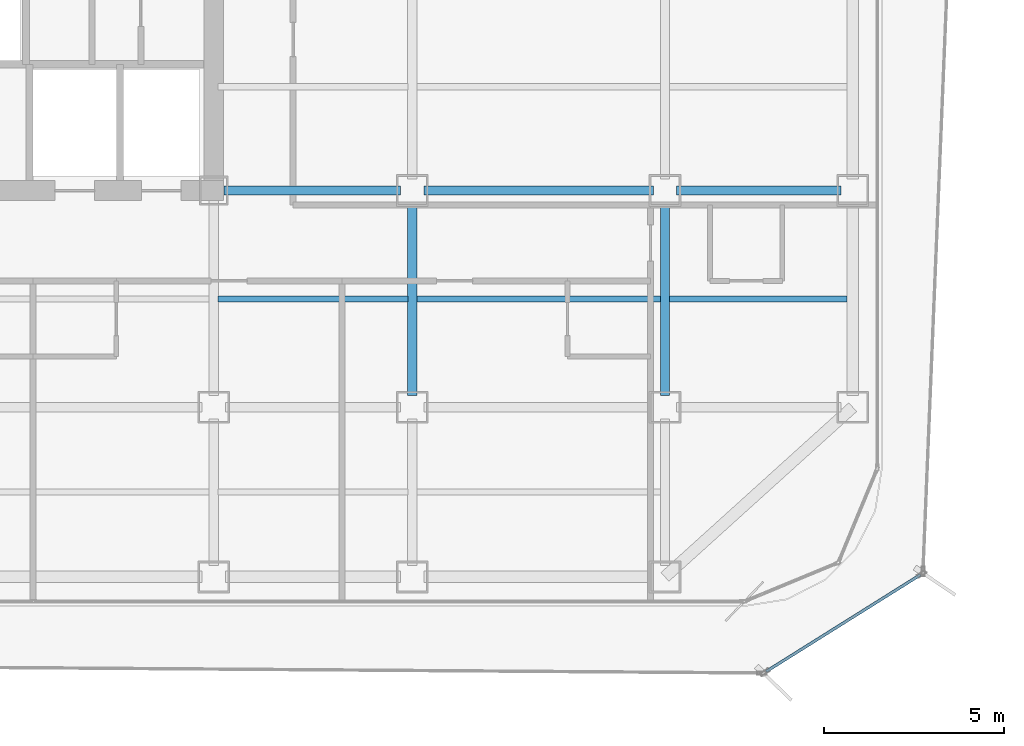
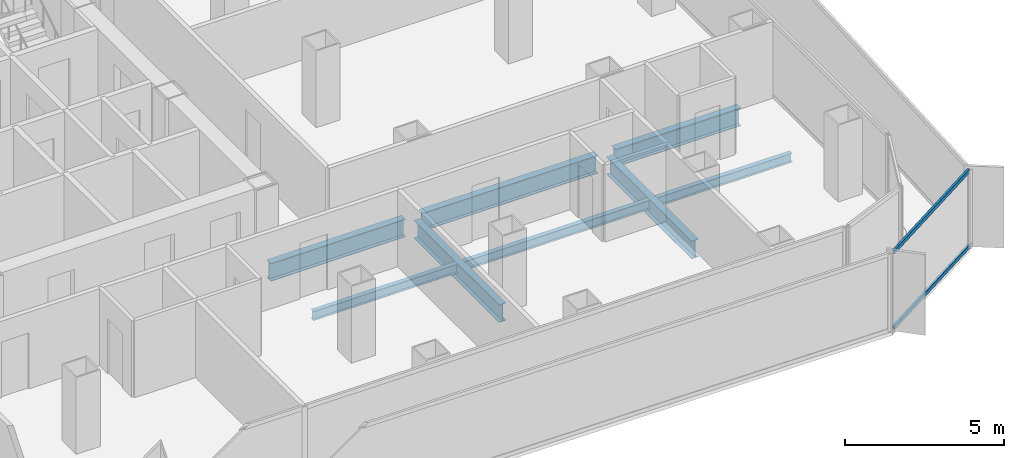
# One storey, part 7 of 21: 8 beams, 2 members, 1 element without a shape of its own.
"""IFC4 building model written with IfcOpenShell, lengths in metres."""

from ifc_helpers import new_model, si_unit, direction, frame, origin, origin_2d, place, context, subcontext, project, spatial, hollow_rectangle, i_section, extrude, source, transform, mapped, material, layer, layer_set, material_profile, profile_set, type_object, element, aggregate, save


model = new_model("IFC4")

# Units and contexts
model_context = context("Model", 3, precision=1e-05, world=origin(), true_north=direction((0.0, 1.0)))
body_context = subcontext(model_context, "Body", "Model", "MODEL_VIEW")
ifc_project = project(units=[si_unit("LENGTHUNIT", "METRE"), si_unit("AREAUNIT", "SQUARE_METRE"), si_unit("VOLUMEUNIT", "CUBIC_METRE"), si_unit("PLANEANGLEUNIT", "RADIAN"), si_unit("MASSUNIT", "GRAM", prefix="KILO")], contexts=[model_context])

# Site, building, storey
site_placement = place(None, origin())
site = spatial("IfcSite", under=ifc_project, at=site_placement, CompositionType="ELEMENT")
building_placement = place(site_placement, origin())
building = spatial("IfcBuilding", under=site, at=building_placement, Name="Kolveth Station Tower", CompositionType="ELEMENT")
storey_placement = place(building_placement, frame((0.0, 0.0, 105.5)))
storey = spatial("IfcBuildingStorey", under=building, at=storey_placement, Name="L28", CompositionType="ELEMENT", Elevation=105.5)

# Beams
ifc_material_1 = material(Name="Steel S355", Category="steel")
ifc_material_profile_1 = material_profile(ifc_material_1, i_section(OverallWidth=0.25390625, OverallDepth=0.68798828125, WebThickness=0.01318359375, FlangeThickness=0.02099609375, at=origin_2d()), Name="W690x152")
ifc_profile_set_1 = profile_set([ifc_material_profile_1], Name="Steel S355")
beam_type_1 = type_object("IfcBeamType", Name="Beam_B4", PredefinedType="BEAM", material=ifc_profile_set_1)
shared_shape_1 = source(origin(), body_context, "Body", "SweptSolid", [
    extrude(i_section(OverallWidth=0.25390625, OverallDepth=0.68798828125, WebThickness=0.01318359375, FlangeThickness=0.02099609375, at=origin_2d()), origin(), (0.0, 0.0, 1.0), 4.559814453125),
])
beam_1_placement = place(storey_placement, frame((41.320068359375, 11.5, -0.593994140625), z_axis=(1.0, 0.0, 0.0), x_axis=(0.0, 1.0, 0.0)))
element("IfcBeam", 1, at=beam_1_placement, inside=storey, type_object=beam_type_1, Name="L28 Primary Girder BM-L28-GY115-7", PredefinedType="BEAM", context=body_context, shape_type="MappedRepresentation", body=[
    mapped(shared_shape_1, transform((0.0, 0.0, 0.0), x_axis=(1.0, 0.0, 0.0), y_axis=(0.0, 1.0, 0.0), z_axis=(0.0, 0.0, 1.0), scale=1.0)),
])
shared_shape_2 = source(origin(), body_context, "Body", "SweptSolid", [
    extrude(i_section(OverallWidth=0.25390625, OverallDepth=0.68798828125, WebThickness=0.01318359375, FlangeThickness=0.02099609375, at=origin_2d()), origin(), (0.0, 0.0, 1.0), 6.35986328125),
])
beam_2_placement = place(storey_placement, frame((34.320068359375, 11.5, -0.593994140625), z_axis=(1.0, 0.0, 0.0), x_axis=(0.0, 1.0, 0.0)))
element("IfcBeam", 2, at=beam_2_placement, inside=storey, type_object=beam_type_1, Name="L28 Primary Girder BM-L28-GY115-6", PredefinedType="BEAM", context=body_context, shape_type="MappedRepresentation", body=[
    mapped(shared_shape_2, transform((0.0, 0.0, 0.0), x_axis=(1.0, 0.0, 0.0), y_axis=(0.0, 1.0, 0.0), z_axis=(0.0, 0.0, 1.0), scale=1.0)),
])
shared_shape_3 = source(origin(), body_context, "Body", "SweptSolid", [
    extrude(i_section(OverallWidth=0.25390625, OverallDepth=0.68798828125, WebThickness=0.01318359375, FlangeThickness=0.02099609375, at=origin_2d()), origin(), (0.0, 0.0, 1.0), 4.89990234375),
])
beam_3_placement = place(storey_placement, frame((28.780029296875, 11.5, -0.593994140625), z_axis=(1.0, 0.0, 0.0), x_axis=(0.0, 1.0, 0.0)))
element("IfcBeam", 3, at=beam_3_placement, inside=storey, type_object=beam_type_1, Name="L28 Primary Girder BM-L28-GY115-5", PredefinedType="BEAM", context=body_context, shape_type="MappedRepresentation", body=[
    mapped(shared_shape_3, transform((0.0, 0.0, 0.0), x_axis=(1.0, 0.0, 0.0), y_axis=(0.0, 1.0, 0.0), z_axis=(0.0, 0.0, 1.0), scale=1.0)),
])
shared_shape_4 = source(origin(), body_context, "Body", "SweptSolid", [
    extrude(i_section(OverallWidth=0.25390625, OverallDepth=0.68798828125, WebThickness=0.01318359375, FlangeThickness=0.02099609375, at=origin_2d()), origin(), (0.0, 0.0, 1.0), 5.35986328125),
])
for number, where, z_axis, x_axis, name in (
    (4, (34.0, 5.820068359375, -0.593994140625), (0.0, 1.0, 0.0), (-1.0, 0.0, 0.0), "L28 Primary Girder BM-L28-GX340-2"),
    (5, (41.0, 5.820068359375, -0.593994140625), (0.0, 1.0, 0.0), (-1.0, 0.0, 0.0), "L28 Primary Girder BM-L28-GX410-2"),
):
    element("IfcBeam", number, at=place(storey_placement, frame(where, z_axis=z_axis, x_axis=x_axis)), inside=storey, type_object=beam_type_1, Name=name, PredefinedType="BEAM", context=body_context, shape_type="MappedRepresentation", body=[
        mapped(shared_shape_4, transform((0.0, 0.0, 0.0), x_axis=(1.0, 0.0, 0.0), y_axis=(0.0, 1.0, 0.0), z_axis=(0.0, 0.0, 1.0), scale=1.0)),
    ])
ifc_material_profile_2 = material_profile(ifc_material_1, i_section(OverallWidth=0.1708984375, OverallDepth=0.35205078125, WebThickness=0.0068359375, FlangeThickness=0.009765625, at=origin_2d()), Name="W360x44")
ifc_profile_set_2 = profile_set([ifc_material_profile_2], Name="Steel S355")
beam_type_2 = type_object("IfcBeamType", Name="Beam_J2", PredefinedType="JOIST", material=ifc_profile_set_2)
shared_shape_5 = source(origin(), body_context, "Body", "SweptSolid", [
    extrude(i_section(OverallWidth=0.1708984375, OverallDepth=0.35205078125, WebThickness=0.0068359375, FlangeThickness=0.009765625, at=origin_2d()), origin(), (0.0, 0.0, 1.0), 4.9150390625),
])
beam_4_placement = place(storey_placement, frame((41.125, 8.5, -0.426025390625), z_axis=(1.0, 0.0, 0.0), x_axis=(0.0, 1.0, 0.0)))
element("IfcBeam", 6, at=beam_4_placement, inside=storey, type_object=beam_type_2, Name="L28 Secondary Joist JST-L28-7-2", PredefinedType="JOIST", context=body_context, shape_type="MappedRepresentation", body=[
    mapped(shared_shape_5, transform((0.0, 0.0, 0.0), x_axis=(1.0, 0.0, 0.0), y_axis=(0.0, 1.0, 0.0), z_axis=(0.0, 0.0, 1.0), scale=1.0)),
])
shared_shape_6 = source(origin(), body_context, "Body", "SweptSolid", [
    extrude(i_section(OverallWidth=0.1708984375, OverallDepth=0.35205078125, WebThickness=0.0068359375, FlangeThickness=0.009765625, at=origin_2d()), origin(), (0.0, 0.0, 1.0), 6.75),
])
beam_5_placement = place(storey_placement, frame((34.125, 8.5, -0.426025390625), z_axis=(1.0, 0.0, 0.0), x_axis=(0.0, 1.0, 0.0)))
element("IfcBeam", 7, at=beam_5_placement, inside=storey, type_object=beam_type_2, Name="L28 Secondary Joist JST-L28-6-2", PredefinedType="JOIST", context=body_context, shape_type="MappedRepresentation", body=[
    mapped(shared_shape_6, transform((0.0, 0.0, 0.0), x_axis=(1.0, 0.0, 0.0), y_axis=(0.0, 1.0, 0.0), z_axis=(0.0, 0.0, 1.0), scale=1.0)),
])
shared_shape_7 = source(origin(), body_context, "Body", "SweptSolid", [
    extrude(i_section(OverallWidth=0.1708984375, OverallDepth=0.35205078125, WebThickness=0.0068359375, FlangeThickness=0.009765625, at=origin_2d()), origin(), (0.0, 0.0, 1.0), 5.25),
])
beam_6_placement = place(storey_placement, frame((28.625, 8.5, -0.426025390625), z_axis=(1.0, 0.0, 0.0), x_axis=(0.0, 1.0, 0.0)))
element("IfcBeam", 8, at=beam_6_placement, inside=storey, type_object=beam_type_2, Name="L28 Secondary Joist JST-L28-5-2", PredefinedType="JOIST", context=body_context, shape_type="MappedRepresentation", body=[
    mapped(shared_shape_7, transform((0.0, 0.0, 0.0), x_axis=(1.0, 0.0, 0.0), y_axis=(0.0, 1.0, 0.0), z_axis=(0.0, 0.0, 1.0), scale=1.0)),
])

# Curtain wall, members
ifc_material_2 = material(Name="Black anodized aluminium 6063-T6 and dark solar glass", Category="aluminium")
ifc_layer = layer(ifc_material_2, 0.159912109375)
ifc_layer_set = layer_set([ifc_layer], Name="Black anodized aluminium 6063-T6 and dark solar glass")
curtain_wall_type = type_object("IfcCurtainWallType", Name="OUTER SKIN CW-OS", PredefinedType="NOTDEFINED", material=ifc_layer_set)
curtain_wall_placement = place(storey_placement, origin())
curtain_wall = element("IfcCurtainWall", 9, at=curtain_wall_placement, inside=storey, type_object=curtain_wall_type, Name="L28 Outer Ventilated Skin Curtain Wall 1", PredefinedType="NOTDEFINED")
ifc_material_3 = material(Name="Black anodized aluminium 6063-T6", Category="aluminium")
ifc_material_profile_3 = material_profile(ifc_material_3, hollow_rectangle(XDim=0.080078125, YDim=0.14990234375, WallThickness=0.0048828125, at=origin_2d()), Name="ALU-80x150x5")
ifc_profile_set_3 = profile_set([ifc_material_profile_3], Name="Black anodized aluminium 6063-T6")
member_type = type_object("IfcMemberType", Name="Transom_TR-OS", PredefinedType="USERDEFINED", material=ifc_profile_set_3)
shared_shape_8 = source(origin(), body_context, "Body", "SweptSolid", [
    extrude(hollow_rectangle(XDim=0.080078125, YDim=0.14990234375, WallThickness=0.0048828125, at=origin_2d()), origin(), (0.0, 0.0, 1.0), 5.03857421875),
])
member_1_placement = place(storey_placement, frame((43.804931640625, -1.8203125, 0.0400390625), z_axis=(0.847237939993, 0.531213585139, 0.0), x_axis=(-0.531213585139, 0.847237939993, 0.0)))
member_1 = element("IfcMember", 10, at=member_1_placement, type_object=member_type, Name="CW-OS transom 1.1", ObjectType="TRANSOM", PredefinedType="USERDEFINED", context=body_context, shape_type="MappedRepresentation", body=[
    mapped(shared_shape_8, transform((0.0, 0.0, 0.0), x_axis=(1.0, 0.0, 0.0), y_axis=(0.0, 1.0, 0.0), z_axis=(0.0, 0.0, 1.0), scale=1.0)),
])
member_2_placement = place(storey_placement, frame((43.804931640625, -1.8203125, 2.949951171875), z_axis=(0.847237939993, 0.531213585139, 0.0), x_axis=(-0.531213585139, 0.847237939993, 0.0)))
member_2 = element("IfcMember", 11, at=member_2_placement, type_object=member_type, Name="CW-OS transom 1.2", ObjectType="TRANSOM", PredefinedType="USERDEFINED", context=body_context, shape_type="MappedRepresentation", body=[
    mapped(shared_shape_8, transform((0.0, 0.0, 0.0), x_axis=(1.0, 0.0, 0.0), y_axis=(0.0, 1.0, 0.0), z_axis=(0.0, 0.0, 1.0), scale=1.0)),
])
aggregate(curtain_wall, [member_1, member_2])

save(model, "model.ifc")
